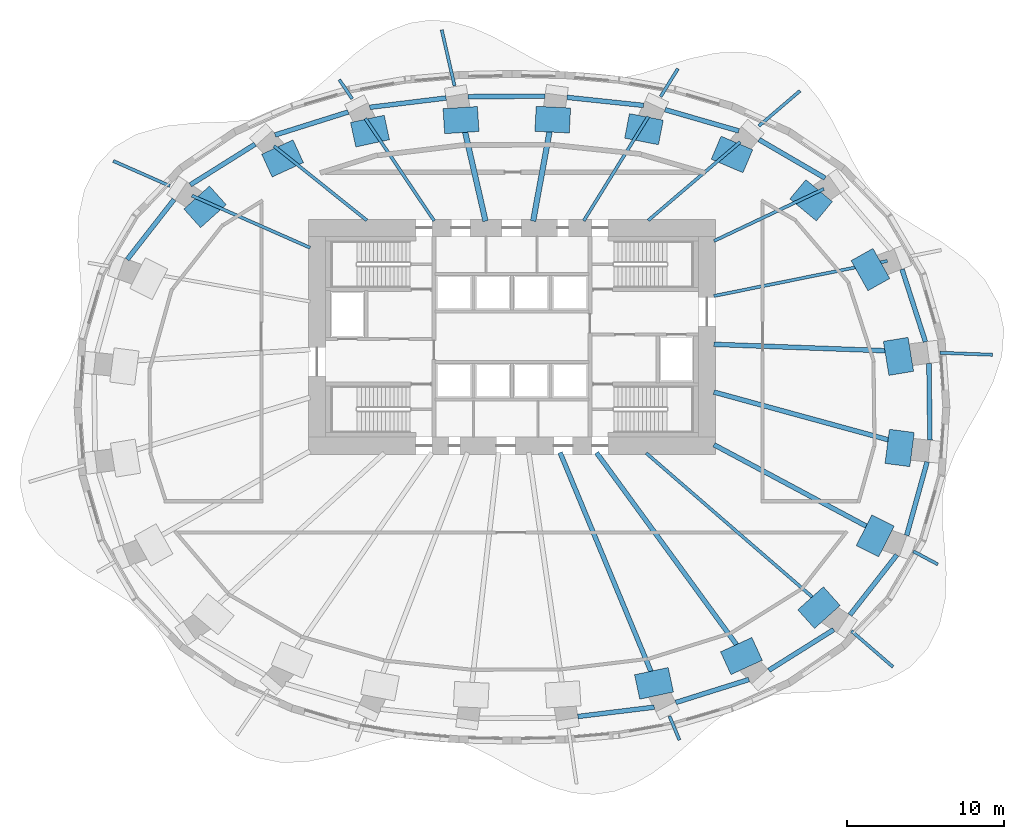
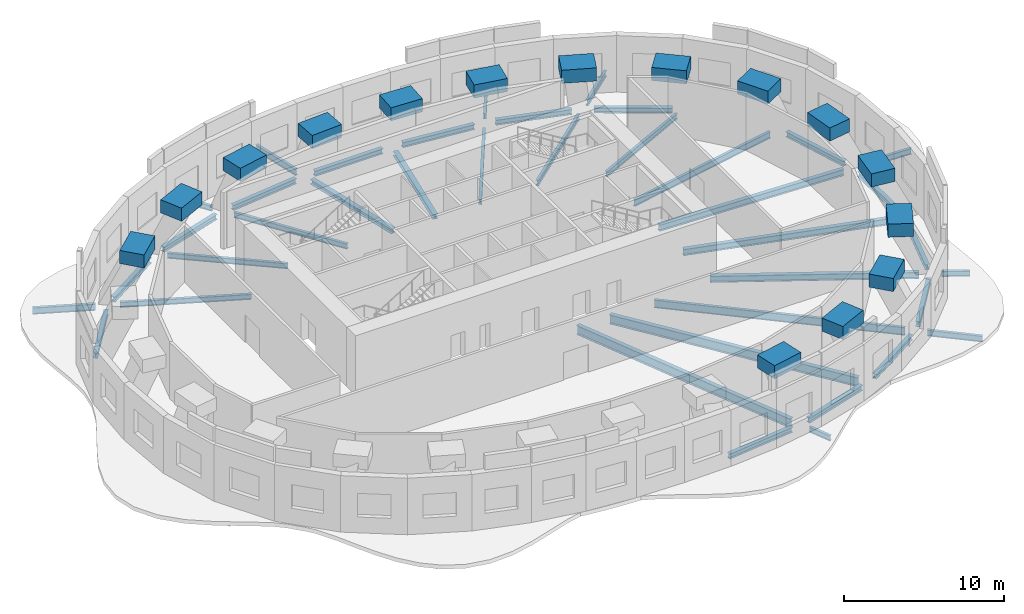
# One storey, part 2 of 9: 54 beams.
"""IFC4 building model written with IfcOpenShell, lengths in metres."""

import ifcopenshell
import ifcopenshell.guid

model = None  # the IFC model being written
_history = None  # IfcOwnerHistory: only IFC2X3 demands one
_inside = {}  # id of a spatial element -> (the spatial element, [elements in it])
_under = {}  # id of a project, library or spatial element -> (it, [spatial elements below it])
_declared = {}  # id of a project -> (the project, [libraries it declares])
_typed = {}  # id of a type object -> (the type object, [elements of that type])
_made_of = {}  # id of a material, layer set ... -> (it, [elements and type objects made of it])


def new_model(schema):
    """Start an empty IFC model of exactly this schema.

    Asked for "IFC4X3", IfcOpenShell would pick the latest addendum, in which some entities
    have other attributes; the version numbers below select the first issue.
    IFC2X3 requires an IfcOwnerHistory on every rooted entity: one is made here for all.
    """
    global model, _history
    if schema == "IFC4X3":
        model = ifcopenshell.file(schema_version=(4, 3, 0, 0))
    else:
        model = ifcopenshell.file(schema=schema)
    _inside.clear()
    _under.clear()
    _declared.clear()
    _typed.clear()
    _made_of.clear()
    _history = None
    if model.schema == "IFC2X3":
        org = make("IfcOrganization", Name="unknown")
        user = make(
            "IfcPersonAndOrganization",
            ThePerson=make("IfcPerson", FamilyName="unknown"),
            TheOrganization=org,
        )
        app = make(
            "IfcApplication",
            ApplicationDeveloper=org,
            Version="unknown",
            ApplicationFullName="unknown",
            ApplicationIdentifier="unknown",
        )
        _history = make(
            "IfcOwnerHistory",
            OwningUser=user,
            OwningApplication=app,
            ChangeAction="ADDED",
            CreationDate=0,
        )
    return model


def make(cls, **values):
    """One entity of the class cls with the attributes given. An attribute that is None is left unset."""
    return model.create_entity(
        cls, **{name: value for name, value in values.items() if value is not None}
    )


def rooted(cls, **values):
    """An entity with a GlobalId (a new one), such as an element, a storey or a relation."""
    return make(cls, GlobalId=ifcopenshell.guid.new(), OwnerHistory=_history, **values)


def si_unit(unit_type, name, prefix=None):
    """IfcSIUnit, for example si_unit("LENGTHUNIT", "METRE", prefix="MILLI")."""
    return make("IfcSIUnit", UnitType=unit_type, Prefix=prefix, Name=name)


def assignment(units):
    """IfcUnitAssignment: the units of a project."""
    return None if units is None else make("IfcUnitAssignment", Units=units)


def point(xyz):
    """IfcCartesianPoint."""
    return None if xyz is None else make("IfcCartesianPoint", Coordinates=xyz)


def direction(xyz):
    """IfcDirection."""
    return None if xyz is None else make("IfcDirection", DirectionRatios=xyz)


def frame(location, z_axis=None, x_axis=None):
    """IfcAxis2Placement3D, a coordinate frame: its origin and axes. An axis left out is left unset."""
    return make(
        "IfcAxis2Placement3D",
        Location=point(location),
        Axis=direction(z_axis),
        RefDirection=direction(x_axis),
    )


def frame_2d(location, x_axis=None):
    """IfcAxis2Placement2D, a coordinate frame in the plane: its origin and x axis."""
    return make(
        "IfcAxis2Placement2D", Location=point(location), RefDirection=direction(x_axis)
    )


def origin():
    """The frame at (0, 0, 0) with its axes left unset."""
    return frame((0.0, 0.0, 0.0))


def origin_2d():
    """The frame at (0, 0) in the plane with its x axis left unset."""
    return frame_2d((0.0, 0.0))


def place(relative_to, where):
    """IfcLocalPlacement: puts the frame where relative to a parent placement (None: the world)."""
    return make(
        "IfcLocalPlacement", PlacementRelTo=relative_to, RelativePlacement=where
    )


def context(
    kind, dimensions, precision=None, world=None, true_north=None, identifier=None
):
    """IfcGeometricRepresentationContext, for example the 3D "Model" context."""
    return make(
        "IfcGeometricRepresentationContext",
        ContextIdentifier=identifier,
        ContextType=kind,
        CoordinateSpaceDimension=dimensions,
        Precision=precision,
        WorldCoordinateSystem=world,
        TrueNorth=true_north,
    )


def subcontext(parent, identifier, kind, view, scale=None):
    """IfcGeometricRepresentationSubContext, for example "Body" below "Model"."""
    return make(
        "IfcGeometricRepresentationSubContext",
        ContextIdentifier=identifier,
        ContextType=kind,
        ParentContext=parent,
        TargetScale=scale,
        TargetView=view,
    )


def project(units=None, contexts=None):
    """IfcProject with its units and contexts."""
    return rooted(
        "IfcProject",
        Name="project",
        RepresentationContexts=contexts,
        UnitsInContext=assignment(units),
    )


def spatial(cls, under=None, at=None, **own):
    """A site, building, storey or space (cls), placed at a placement, below another one or the project."""
    s = rooted(cls, ObjectPlacement=at, **own)
    if under is not None:
        _under.setdefault(under.id(), (under, []))[1].append(s)
    return s


def profile(cls, at=None, kind="AREA", **sizes):
    """A parametric profile (cls). Its sizes go by their IFC names, for example OverallWidth=200.0."""
    return make(cls, ProfileType=kind, Position=at, **sizes)


def rectangle(**sizes):
    """IfcRectangleProfileDef."""
    return profile("IfcRectangleProfileDef", **sizes)


def i_section(**sizes):
    """IfcIShapeProfileDef."""
    return profile("IfcIShapeProfileDef", **sizes)


def extrude(swept, where, along, depth):
    """IfcExtrudedAreaSolid: the profile swept, set in the frame where, extruded along a direction by depth."""
    return make(
        "IfcExtrudedAreaSolid",
        SweptArea=swept,
        Position=where,
        ExtrudedDirection=direction(along),
        Depth=depth,
    )


def shape(context_of_items, identifier, shape_type, items):
    """IfcShapeRepresentation: the items that make up one representation, for example the "Body"."""
    return make(
        "IfcShapeRepresentation",
        ContextOfItems=context_of_items,
        RepresentationIdentifier=identifier,
        RepresentationType=shape_type,
        Items=items,
    )


def material(Name=None, Category=None):
    """IfcMaterial."""
    return make("IfcMaterial", Name=Name, Category=Category)


def material_profile(
    of_material, cross_section, Name=None, Category=None, Priority=None
):
    """IfcMaterialProfile: a cross section and its material."""
    return make(
        "IfcMaterialProfile",
        Name=Name,
        Material=of_material,
        Profile=cross_section,
        Priority=Priority,
        Category=Category,
    )


def profile_set(profiles, Name=None, composite=None):
    """IfcMaterialProfileSet."""
    return make(
        "IfcMaterialProfileSet",
        Name=Name,
        MaterialProfiles=profiles,
        CompositeProfile=composite,
    )


def made_of(thing, what):
    """Note that an element or type object is made of a material, layer set ...; save() writes the relation."""
    if what is not None:
        _made_of.setdefault(what.id(), (what, []))[1].append(thing)
    return thing


def type_object(cls, material=None, **own):
    """A type object (cls), such as IfcWallType, which elements share."""
    return made_of(rooted(cls, **own), material)


def element(
    cls,
    number,
    at=None,
    inside=None,
    cuts=None,
    type_object=None,
    material=None,
    context=None,
    identifier="Body",
    shape_type=None,
    held_by="IfcProductDefinitionShape",
    body=None,
    shapes=None,
    **own,
):
    """One element of the class cls, such as IfcWall. Its Tag is "e" and its number.

    at: its placement. inside: the storey or other place that contains it. cuts: it is an
    opening in that element (IfcRelVoidsElement). A single representation is given by context,
    identifier, shape_type and body (its items); several are given by shapes. held_by: the class
    of the entity that holds the representations. save() writes the other relations.
    """
    e = rooted(cls, Tag="e%d" % number, ObjectPlacement=at, **own)
    if body is not None:
        shapes = [shape(context, identifier, shape_type, body)]
    if shapes is not None:
        e.Representation = make(held_by, Representations=shapes)
    if inside is not None:
        _inside.setdefault(inside.id(), (inside, []))[1].append(e)
    if cuts is not None:
        rooted(
            "IfcRelVoidsElement", RelatingBuildingElement=cuts, RelatedOpeningElement=e
        )
    if type_object is not None:
        _typed.setdefault(type_object.id(), (type_object, []))[1].append(e)
    return made_of(e, material)


def aggregate(whole, parts):
    """IfcRelAggregates: a whole, such as a stair, and the parts it consists of."""
    return rooted("IfcRelAggregates", RelatingObject=whole, RelatedObjects=parts)


def save(model, path):
    """Write the relations noted so far, then the file.

    IfcRelAggregates (storeys below a building ...), IfcRelContainedInSpatialStructure (elements
    in a storey), IfcRelDefinesByType, IfcRelAssociatesMaterial and IfcRelDeclares: one each for
    every whole, place, type object, material and project.
    """
    for whole, parts in _under.values():
        aggregate(whole, parts)
    for where, things in _inside.values():
        rooted(
            "IfcRelContainedInSpatialStructure",
            RelatedElements=things,
            RelatingStructure=where,
        )
    for kind, things in _typed.values():
        rooted("IfcRelDefinesByType", RelatedObjects=things, RelatingType=kind)
    for what, things in _made_of.values():
        rooted("IfcRelAssociatesMaterial", RelatedObjects=things, RelatingMaterial=what)
    for by, libraries in _declared.values():
        rooted("IfcRelDeclares", RelatingContext=by, RelatedDefinitions=libraries)
    model.write(path)


model = new_model("IFC4")

# Units and contexts
model_context = context("Model", 3, precision=1e-05, world=origin(), true_north=direction((0.0, 1.0)))
body_context = subcontext(model_context, "Body", "Model", "MODEL_VIEW")
ifc_project = project(units=[si_unit("LENGTHUNIT", "METRE"), si_unit("AREAUNIT", "SQUARE_METRE"), si_unit("VOLUMEUNIT", "CUBIC_METRE"), si_unit("PLANEANGLEUNIT", "RADIAN"), si_unit("MASSUNIT", "GRAM", prefix="KILO")], contexts=[model_context])

# Site, building, storey
site_placement = place(None, origin())
site = spatial("IfcSite", under=ifc_project, at=site_placement, CompositionType="ELEMENT")
building_placement = place(site_placement, origin())
building = spatial("IfcBuilding", under=site, at=building_placement, Name="Rubra Terraces Tower", CompositionType="ELEMENT")
storey_placement = place(building_placement, frame((0.0, 0.0, 77.10009765625)))
storey = spatial("IfcBuildingStorey", under=building, at=storey_placement, Name="L17", CompositionType="ELEMENT", Elevation=77.10009765625)

# Beams
ifc_material_1 = material(Name="Steel Q355B", Category="steel")
ifc_material_profile_1 = material_profile(ifc_material_1, i_section(OverallWidth=0.199951171875, OverallDepth=0.39990234375, WebThickness=0.008056640625, FlangeThickness=0.012939453125, at=origin_2d()), Name="HN 400x200x8x13")
ifc_profile_set_1 = profile_set([ifc_material_profile_1], Name="Steel Q355B")
beam_type_1 = type_object("IfcBeamType", Name="CANTILEVER BEAM HN 400x200x8x13", PredefinedType="BEAM", material=ifc_profile_set_1)
beam_1_placement = place(storey_placement, frame((9.488037109375, 19.827880859375, -0.5), z_axis=(0.526190071233, 0.850366984857, 0.0), x_axis=(-0.850366984857, 0.526190071233, 0.0)))
element("IfcBeam", 1, at=beam_1_placement, inside=storey, type_object=beam_type_1, Name="beam-L17-cant-05", PredefinedType="BEAM", context=body_context, shape_type="SweptSolid", body=[
    extrude(i_section(OverallWidth=0.199951171875, OverallDepth=0.39990234375, WebThickness=0.008056640625, FlangeThickness=0.012939453125, at=origin_2d()), origin(), (0.0, 0.0, 1.0), 2.094482421875),
])
beam_2_placement = place(storey_placement, frame((-10.199951171875, 19.68310546875, -0.5), z_axis=(-0.55771272849, 0.830034042965, 0.0), x_axis=(-0.830034042965, -0.55771272849, 0.0)))
element("IfcBeam", 2, at=beam_2_placement, inside=storey, type_object=beam_type_1, Name="beam-L17-cant-08", PredefinedType="BEAM", context=body_context, shape_type="SweptSolid", body=[
    extrude(i_section(OverallWidth=0.199951171875, OverallDepth=0.39990234375, WebThickness=0.008056640625, FlangeThickness=0.012939453125, at=origin_2d()), origin(), (0.0, 0.0, 1.0), 1.4755859375),
])
beam_3_placement = place(storey_placement, frame((10.052978515625, -19.715087890625, -0.5), z_axis=(0.383503635295, -0.92353936663, 0.0), x_axis=(0.92353936663, 0.383503635295, 0.0)))
element("IfcBeam", 3, at=beam_3_placement, inside=storey, type_object=beam_type_1, Name="beam-L17-cant-20", PredefinedType="BEAM", context=body_context, shape_type="SweptSolid", body=[
    extrude(i_section(OverallWidth=0.199951171875, OverallDepth=0.39990234375, WebThickness=0.008056640625, FlangeThickness=0.012939453125, at=origin_2d()), origin(), (0.0, 0.0, 1.0), 1.6533203125),
])
beam_4_placement = place(storey_placement, frame((25.62109375, -9.196044921875, -0.5), z_axis=(0.881831478538, -0.471564675797, 0.0), x_axis=(0.471564675797, 0.881831478538, 0.0)))
element("IfcBeam", 4, at=beam_4_placement, inside=storey, type_object=beam_type_1, Name="beam-L17-cant-23", PredefinedType="BEAM", context=body_context, shape_type="SweptSolid", body=[
    extrude(i_section(OverallWidth=0.199951171875, OverallDepth=0.39990234375, WebThickness=0.008056640625, FlangeThickness=0.012939453125, at=origin_2d()), origin(), (0.0, 0.0, 1.0), 1.764404296875),
])
ifc_material_profile_2 = material_profile(ifc_material_1, i_section(OverallWidth=0.198974609375, OverallDepth=0.446044921875, WebThickness=0.008056640625, FlangeThickness=0.011962890625, at=origin_2d()), Name="HN 446x199x8x12")
ifc_profile_set_2 = profile_set([ifc_material_profile_2], Name="Steel Q355B")
beam_type_2 = type_object("IfcBeamType", Name="CANTILEVER BEAM HN 446x199x8x12", PredefinedType="BEAM", material=ifc_profile_set_2)
beam_5_placement = place(storey_placement, frame((27.319091796875, 3.47607421875, -0.523193359375), z_axis=(0.999296185765, -0.037511773014, 0.0), x_axis=(0.037511773014, 0.999296185765, 0.0)))
element("IfcBeam", 5, at=beam_5_placement, inside=storey, type_object=beam_type_2, Name="beam-L17-cant-01", PredefinedType="BEAM", context=body_context, shape_type="SweptSolid", body=[
    extrude(i_section(OverallWidth=0.198974609375, OverallDepth=0.446044921875, WebThickness=0.008056640625, FlangeThickness=0.011962890625, at=origin_2d()), origin(), (0.0, 0.0, 1.0), 3.3583984375),
])
beam_6_placement = place(storey_placement, frame((15.7509765625, 17.947998046875, -0.523193359375), z_axis=(0.76041784496, 0.649434139129, 0.0), x_axis=(-0.649434139129, 0.76041784496, 0.0)))
element("IfcBeam", 6, at=beam_6_placement, inside=storey, type_object=beam_type_2, Name="beam-L17-cant-04", PredefinedType="BEAM", context=body_context, shape_type="SweptSolid", body=[
    extrude(i_section(OverallWidth=0.198974609375, OverallDepth=0.446044921875, WebThickness=0.008056640625, FlangeThickness=0.011962890625, at=origin_2d()), origin(), (0.0, 0.0, 1.0), 3.468994140625),
])
beam_7_placement = place(storey_placement, frame((21.66796875, -14.279052734375, -0.523193359375), z_axis=(0.755677597863, -0.654943790022, 0.0), x_axis=(0.654943790022, 0.755677597863, 0.0)))
element("IfcBeam", 7, at=beam_7_placement, inside=storey, type_object=beam_type_2, Name="beam-L17-cant-22", PredefinedType="BEAM", context=body_context, shape_type="SweptSolid", body=[
    extrude(i_section(OverallWidth=0.198974609375, OverallDepth=0.446044921875, WebThickness=0.008056640625, FlangeThickness=0.011962890625, at=origin_2d()), origin(), (0.0, 0.0, 1.0), 3.507080078125),
])
ifc_material_profile_3 = material_profile(ifc_material_1, i_section(OverallWidth=0.198974609375, OverallDepth=0.49609375, WebThickness=0.009033203125, FlangeThickness=0.013916015625, at=origin_2d()), Name="HN 496x199x9x14")
ifc_profile_set_3 = profile_set([ifc_material_profile_3], Name="Steel Q355B")
beam_type_3 = type_object("IfcBeamType", Name="CANTILEVER BEAM HN 496x199x9x14", PredefinedType="BEAM", material=ifc_profile_set_3)
beam_8_placement = place(storey_placement, frame((-3.6669921875, 20.514892578125, -0.548095703125), z_axis=(-0.22319553445, 0.974773693429, 0.0), x_axis=(-0.974773693429, -0.22319553445, 0.0)))
element("IfcBeam", 8, at=beam_8_placement, inside=storey, type_object=beam_type_3, Name="beam-L17-cant-07", PredefinedType="BEAM", context=body_context, shape_type="SweptSolid", body=[
    extrude(i_section(OverallWidth=0.198974609375, OverallDepth=0.49609375, WebThickness=0.009033203125, FlangeThickness=0.013916015625, at=origin_2d()), origin(), (0.0, 0.0, 1.0), 3.66552734375),
])
beam_9_placement = place(storey_placement, frame((-21.8369140625, 14.1259765625, -0.548095703125), z_axis=(-0.914957406793, 0.403550422816, 0.0), x_axis=(-0.403550422816, -0.914957406793, 0.0)))
element("IfcBeam", 9, at=beam_9_placement, inside=storey, type_object=beam_type_3, Name="beam-L17-cant-10", PredefinedType="BEAM", context=body_context, shape_type="SweptSolid", body=[
    extrude(i_section(OverallWidth=0.198974609375, OverallDepth=0.49609375, WebThickness=0.009033203125, FlangeThickness=0.013916015625, at=origin_2d()), origin(), (0.0, 0.0, 1.0), 3.949951171875),
])
ifc_material_profile_4 = material_profile(ifc_material_1, i_section(OverallWidth=0.300048828125, OverallDepth=0.48193359375, WebThickness=0.010986328125, FlangeThickness=0.014892578125, at=origin_2d()), Name="HM 482x300x11x15")
ifc_profile_set_4 = profile_set([ifc_material_profile_4], Name="Steel Q355B")
beam_type_4 = type_object("IfcBeamType", Name="FLOOR BEAM HM 482x300x11x15", PredefinedType="BEAM", material=ifc_profile_set_4)
beam_10_placement = place(storey_placement, frame((25.89111328125, 3.530029296875, -0.541015625), z_axis=(-0.999300088658, 0.037407657088, 0.0), x_axis=(-0.037407657088, -0.999300088658, 0.0)))
element("IfcBeam", 10, at=beam_10_placement, inside=storey, type_object=beam_type_4, Name="beam-L17-floor-01", PredefinedType="BEAM", context=body_context, shape_type="SweptSolid", body=[
    extrude(i_section(OverallWidth=0.300048828125, OverallDepth=0.48193359375, WebThickness=0.010986328125, FlangeThickness=0.014892578125, at=origin_2d()), origin(), (0.0, 0.0, 1.0), 13.020263671875),
])
beam_11_placement = place(storey_placement, frame((24.385009765625, -8.535888671875, -0.541015625), z_axis=(-0.881896613876, 0.471442851716, 0.0), x_axis=(-0.471442851716, -0.881896613876, 0.0)))
element("IfcBeam", 11, at=beam_11_placement, inside=storey, type_object=beam_type_4, Name="beam-L17-floor-23", PredefinedType="BEAM", context=body_context, shape_type="SweptSolid", body=[
    extrude(i_section(OverallWidth=0.300048828125, OverallDepth=0.48193359375, WebThickness=0.010986328125, FlangeThickness=0.014892578125, at=origin_2d()), origin(), (0.0, 0.0, 1.0), 13.02978515625),
])
beam_12_placement = place(storey_placement, frame((26.001953125, -2.62109375, -0.541015625), z_axis=(-0.964494059772, 0.264104541167, 0.0), x_axis=(-0.264104541167, -0.964494059772, 0.0)))
element("IfcBeam", 12, at=beam_12_placement, inside=storey, type_object=beam_type_4, Name="beam-L17-floor-24", PredefinedType="BEAM", context=body_context, shape_type="SweptSolid", body=[
    extrude(i_section(OverallWidth=0.300048828125, OverallDepth=0.48193359375, WebThickness=0.010986328125, FlangeThickness=0.014892578125, at=origin_2d()), origin(), (0.0, 0.0, 1.0), 13.600830078125),
])
ifc_material_profile_5 = material_profile(ifc_material_1, i_section(OverallWidth=0.199951171875, OverallDepth=0.39990234375, WebThickness=0.008056640625, FlangeThickness=0.012939453125, at=origin_2d()), Name="HN 400x200x8x13")
ifc_profile_set_5 = profile_set([ifc_material_profile_5], Name="Steel Q355B")
beam_type_5 = type_object("IfcBeamType", Name="FLOOR BEAM HN 400x200x8x13", PredefinedType="BEAM", material=ifc_profile_set_5)
beam_13_placement = place(storey_placement, frame((19.904052734375, 13.93603515625, -0.5), z_axis=(-0.903612237836, -0.428351402045, 0.0), x_axis=(0.428351402045, -0.903612237836, 0.0)))
element("IfcBeam", 13, at=beam_13_placement, inside=storey, type_object=beam_type_5, Name="beam-L17-floor-03", PredefinedType="BEAM", context=body_context, shape_type="SweptSolid", body=[
    extrude(i_section(OverallWidth=0.199951171875, OverallDepth=0.39990234375, WebThickness=0.008056640625, FlangeThickness=0.012939453125, at=origin_2d()), origin(), (0.0, 0.0, 1.0), 7.760009765625),
])
beam_14_placement = place(storey_placement, frame((14.56298828125, 16.93408203125, -0.5), z_axis=(-0.760494401061, -0.649344489431, 0.0), x_axis=(0.649344489431, -0.760494401061, 0.0)))
element("IfcBeam", 14, at=beam_14_placement, inside=storey, type_object=beam_type_5, Name="beam-L17-floor-04", PredefinedType="BEAM", context=body_context, shape_type="SweptSolid", body=[
    extrude(i_section(OverallWidth=0.199951171875, OverallDepth=0.39990234375, WebThickness=0.008056640625, FlangeThickness=0.012939453125, at=origin_2d()), origin(), (0.0, 0.0, 1.0), 7.718505859375),
])
beam_15_placement = place(storey_placement, frame((8.699951171875, 18.555908203125, -0.5), z_axis=(-0.526285914839, -0.850307671283, 0.0), x_axis=(0.850307671283, -0.526285914839, 0.0)))
element("IfcBeam", 15, at=beam_15_placement, inside=storey, type_object=beam_type_5, Name="beam-L17-floor-05", PredefinedType="BEAM", context=body_context, shape_type="SweptSolid", body=[
    extrude(i_section(OverallWidth=0.199951171875, OverallDepth=0.39990234375, WebThickness=0.008056640625, FlangeThickness=0.012939453125, at=origin_2d()), origin(), (0.0, 0.0, 1.0), 7.830078125),
])
beam_16_placement = place(storey_placement, frame((-9.360107421875, 18.43310546875, -0.5), z_axis=(0.557574689395, -0.830126776912, 0.0), x_axis=(0.830126776912, 0.557574689395, 0.0)))
element("IfcBeam", 16, at=beam_16_placement, inside=storey, type_object=beam_type_5, Name="beam-L17-floor-08", PredefinedType="BEAM", context=body_context, shape_type="SweptSolid", body=[
    extrude(i_section(OverallWidth=0.199951171875, OverallDepth=0.39990234375, WebThickness=0.008056640625, FlangeThickness=0.012939453125, at=origin_2d()), origin(), (0.0, 0.0, 1.0), 7.8701171875),
])
beam_17_placement = place(storey_placement, frame((-15.18896484375, 16.676025390625, -0.5), z_axis=(0.780266406942, -0.625447307291, 0.0), x_axis=(0.625447307291, 0.780266406942, 0.0)))
element("IfcBeam", 17, at=beam_17_placement, inside=storey, type_object=beam_type_5, Name="beam-L17-floor-09", PredefinedType="BEAM", context=body_context, shape_type="SweptSolid", body=[
    extrude(i_section(OverallWidth=0.199951171875, OverallDepth=0.39990234375, WebThickness=0.008056640625, FlangeThickness=0.012939453125, at=origin_2d()), origin(), (0.0, 0.0, 1.0), 7.59619140625),
])
beam_18_placement = place(storey_placement, frame((-20.43310546875, 13.508056640625, -0.5), z_axis=(0.914994662209, -0.4034659442, 0.0), x_axis=(0.4034659442, 0.914994662209, 0.0)))
element("IfcBeam", 18, at=beam_18_placement, inside=storey, type_object=beam_type_5, Name="beam-L17-floor-10", PredefinedType="BEAM", context=body_context, shape_type="SweptSolid", body=[
    extrude(i_section(OverallWidth=0.199951171875, OverallDepth=0.39990234375, WebThickness=0.008056640625, FlangeThickness=0.012939453125, at=origin_2d()), origin(), (0.0, 0.0, 1.0), 8.243896484375),
])
ifc_material_profile_6 = material_profile(ifc_material_1, i_section(OverallWidth=0.198974609375, OverallDepth=0.49609375, WebThickness=0.009033203125, FlangeThickness=0.013916015625, at=origin_2d()), Name="HN 496x199x9x14")
ifc_profile_set_6 = profile_set([ifc_material_profile_6], Name="Steel Q355B")
beam_type_6 = type_object("IfcBeamType", Name="FLOOR BEAM HN 496x199x9x14", PredefinedType="BEAM", material=ifc_profile_set_6)
beam_19_placement = place(storey_placement, frame((23.9560546875, 9.337890625, -0.548095703125), z_axis=(-0.980204035637, -0.197990021264, 0.0), x_axis=(0.197990021264, -0.980204035637, 0.0)))
element("IfcBeam", 19, at=beam_19_placement, inside=storey, type_object=beam_type_6, Name="beam-L17-floor-02", PredefinedType="BEAM", context=body_context, shape_type="SweptSolid", body=[
    extrude(i_section(OverallWidth=0.198974609375, OverallDepth=0.49609375, WebThickness=0.009033203125, FlangeThickness=0.013916015625, at=origin_2d()), origin(), (0.0, 0.0, 1.0), 11.297607421875),
])
ifc_material_profile_7 = material_profile(ifc_material_1, i_section(OverallWidth=0.198974609375, OverallDepth=0.595947265625, WebThickness=0.010009765625, FlangeThickness=0.014892578125, at=origin_2d()), Name="HN 596x199x10x15")
ifc_profile_set_7 = profile_set([ifc_material_profile_7], Name="Steel Q355B")
beam_type_7 = type_object("IfcBeamType", Name="FLOOR BEAM HN 596x199x10x15", PredefinedType="BEAM", material=ifc_profile_set_7)
beam_20_placement = place(storey_placement, frame((20.60205078125, -13.35498046875, -0.59814453125), z_axis=(-0.755682003913, 0.654938706263, 0.0), x_axis=(-0.654938706263, -0.755682003913, 0.0)))
element("IfcBeam", 20, at=beam_20_placement, inside=storey, type_object=beam_type_7, Name="beam-L17-floor-22", PredefinedType="BEAM", context=body_context, shape_type="SweptSolid", body=[
    extrude(i_section(OverallWidth=0.198974609375, OverallDepth=0.595947265625, WebThickness=0.010009765625, FlangeThickness=0.014892578125, at=origin_2d()), origin(), (0.0, 0.0, 1.0), 15.931396484375),
])
ifc_material_profile_8 = material_profile(ifc_material_1, i_section(OverallWidth=0.300048828125, OverallDepth=0.699951171875, WebThickness=0.012939453125, FlangeThickness=0.02392578125, at=origin_2d()), Name="HN 700x300x13x24")
ifc_profile_set_8 = profile_set([ifc_material_profile_8], Name="Steel Q355B")
beam_type_8 = type_object("IfcBeamType", Name="FLOOR BEAM HN 700x300x13x24", PredefinedType="BEAM", material=ifc_profile_set_8)
beam_21_placement = place(storey_placement, frame((9.507080078125, -18.40087890625, -0.650146484375), z_axis=(-0.383379543301, 0.923590886582, 0.0), x_axis=(-0.923590886582, -0.383379543301, 0.0)))
element("IfcBeam", 21, at=beam_21_placement, inside=storey, type_object=beam_type_8, Name="beam-L17-floor-20", PredefinedType="BEAM", context=body_context, shape_type="SweptSolid", body=[
    extrude(i_section(OverallWidth=0.300048828125, OverallDepth=0.699951171875, WebThickness=0.012939453125, FlangeThickness=0.02392578125, at=origin_2d()), origin(), (0.0, 0.0, 1.0), 16.795166015625),
])
beam_22_placement = place(storey_placement, frame((15.3779296875, -16.587890625, -0.650146484375), z_axis=(-0.58919117553, 0.807993662523, 0.0), x_axis=(-0.807993662523, -0.58919117553, 0.0)))
element("IfcBeam", 22, at=beam_22_placement, inside=storey, type_object=beam_type_8, Name="beam-L17-floor-21", PredefinedType="BEAM", context=body_context, shape_type="SweptSolid", body=[
    extrude(i_section(OverallWidth=0.300048828125, OverallDepth=0.699951171875, WebThickness=0.012939453125, FlangeThickness=0.02392578125, at=origin_2d()), origin(), (0.0, 0.0, 1.0), 16.936767578125),
])
ifc_material_profile_9 = material_profile(ifc_material_1, i_section(OverallWidth=0.35009765625, OverallDepth=0.35009765625, WebThickness=0.011962890625, FlangeThickness=0.01904296875, at=origin_2d()), Name="HW 350x350x12x19")
ifc_profile_set_9 = profile_set([ifc_material_profile_9], Name="Steel Q355B")
beam_type_9 = type_object("IfcBeamType", Name="FLOOR BEAM HW 350x350x12x19", PredefinedType="BEAM", material=ifc_profile_set_9)
beam_23_placement = place(storey_placement, frame((2.68408203125, 19.158935546875, -0.47509765625), z_axis=(-0.180186319425, -0.983632497578, 0.0), x_axis=(0.983632497578, -0.180186319425, 0.0)))
element("IfcBeam", 23, at=beam_23_placement, inside=storey, type_object=beam_type_9, Name="beam-L17-floor-06", PredefinedType="BEAM", context=body_context, shape_type="SweptSolid", body=[
    extrude(i_section(OverallWidth=0.35009765625, OverallDepth=0.35009765625, WebThickness=0.011962890625, FlangeThickness=0.01904296875, at=origin_2d()), origin(), (0.0, 0.0, 1.0), 7.39794921875),
])
beam_24_placement = place(storey_placement, frame((-3.35107421875, 19.133056640625, -0.47509765625), z_axis=(0.223209821828, -0.974770421914, 0.0), x_axis=(0.974770421914, 0.223209821828, 0.0)))
element("IfcBeam", 24, at=beam_24_placement, inside=storey, type_object=beam_type_9, Name="beam-L17-floor-07", PredefinedType="BEAM", context=body_context, shape_type="SweptSolid", body=[
    extrude(i_section(OverallWidth=0.35009765625, OverallDepth=0.35009765625, WebThickness=0.011962890625, FlangeThickness=0.01904296875, at=origin_2d()), origin(), (0.0, 0.0, 1.0), 7.437744140625),
])
ifc_material_profile_10 = material_profile(ifc_material_1, i_section(OverallWidth=0.300048828125, OverallDepth=0.389892578125, WebThickness=0.010009765625, FlangeThickness=0.01611328125, at=origin_2d()), Name="HM 390x300x10x16")
ifc_profile_set_10 = profile_set([ifc_material_profile_10], Name="Steel Q355B")
beam_type_10 = type_object("IfcBeamType", Name="SPANDREL BEAM HM 390x300x10x16", PredefinedType="SPANDREL", material=ifc_profile_set_10)
beam_25_placement = place(storey_placement, frame((26.387939453125, 4.177001953125, -0.4951171875), z_axis=(-0.30706880261, 0.951687317591, 0.0), x_axis=(-0.951687317591, -0.30706880261, 0.0)))
element("IfcBeam", 25, at=beam_25_placement, inside=storey, type_object=beam_type_10, Name="beam-L17-spandrel-01", PredefinedType="SPANDREL", context=body_context, shape_type="SweptSolid", body=[
    extrude(i_section(OverallWidth=0.300048828125, OverallDepth=0.389892578125, WebThickness=0.010009765625, FlangeThickness=0.01611328125, at=origin_2d()), origin(), (0.0, 0.0, 1.0), 4.86181640625),
])
beam_26_placement = place(storey_placement, frame((19.987060546875, 14.6240234375, -0.4951171875), z_axis=(-0.863806081452, 0.503824427402, 0.0), x_axis=(-0.503824427402, -0.863806081452, 0.0)))
element("IfcBeam", 26, at=beam_26_placement, inside=storey, type_object=beam_type_10, Name="beam-L17-spandrel-03", PredefinedType="SPANDREL", context=body_context, shape_type="SweptSolid", body=[
    extrude(i_section(OverallWidth=0.300048828125, OverallDepth=0.389892578125, WebThickness=0.010009765625, FlangeThickness=0.01611328125, at=origin_2d()), origin(), (0.0, 0.0, 1.0), 4.886474609375),
])
beam_27_placement = place(storey_placement, frame((14.47900390625, 17.636962890625, -0.4951171875), z_axis=(-0.960743980202, 0.277436487337, 0.0), x_axis=(-0.277436487337, -0.960743980202, 0.0)))
element("IfcBeam", 27, at=beam_27_placement, inside=storey, type_object=beam_type_10, Name="beam-L17-spandrel-04", PredefinedType="SPANDREL", context=body_context, shape_type="SweptSolid", body=[
    extrude(i_section(OverallWidth=0.300048828125, OverallDepth=0.389892578125, WebThickness=0.010009765625, FlangeThickness=0.01611328125, at=origin_2d()), origin(), (0.0, 0.0, 1.0), 4.90234375),
])
beam_28_placement = place(storey_placement, frame((8.39501953125, 19.26611328125, -0.4951171875), z_axis=(-0.994495375694, 0.104780473964, 0.0), x_axis=(-0.104780473964, -0.994495375694, 0.0)))
element("IfcBeam", 28, at=beam_28_placement, inside=storey, type_object=beam_type_10, Name="beam-L17-spandrel-05", PredefinedType="SPANDREL", context=body_context, shape_type="SweptSolid", body=[
    extrude(i_section(OverallWidth=0.300048828125, OverallDepth=0.389892578125, WebThickness=0.010009765625, FlangeThickness=0.01611328125, at=origin_2d()), origin(), (0.0, 0.0, 1.0), 4.9140625),
])
beam_29_placement = place(storey_placement, frame((2.110107421875, 19.85107421875, -0.4951171875), z_axis=(-0.999987924698, -0.004914311469, 0.0), x_axis=(0.004914311469, -0.999987924698, 0.0)))
element("IfcBeam", 29, at=beam_29_placement, inside=storey, type_object=beam_type_10, Name="beam-L17-spandrel-06", PredefinedType="SPANDREL", context=body_context, shape_type="SweptSolid", body=[
    extrude(i_section(OverallWidth=0.300048828125, OverallDepth=0.389892578125, WebThickness=0.010009765625, FlangeThickness=0.01611328125, at=origin_2d()), origin(), (0.0, 0.0, 1.0), 4.918212890625),
])
beam_30_placement = place(storey_placement, frame((-4.205078125, 19.739013671875, -0.4951171875), z_axis=(-0.992616576014, -0.12129440639, 0.0), x_axis=(0.12129440639, -0.992616576014, 0.0)))
element("IfcBeam", 30, at=beam_30_placement, inside=storey, type_object=beam_type_10, Name="beam-L17-spandrel-07", PredefinedType="SPANDREL", context=body_context, shape_type="SweptSolid", body=[
    extrude(i_section(OverallWidth=0.300048828125, OverallDepth=0.389892578125, WebThickness=0.010009765625, FlangeThickness=0.01611328125, at=origin_2d()), origin(), (0.0, 0.0, 1.0), 4.913330078125),
])
beam_31_placement = place(storey_placement, frame((-10.450927734375, 18.846923828125, -0.4951171875), z_axis=(-0.953954624663, -0.299950952796, 0.0), x_axis=(0.299950952796, -0.953954624663, 0.0)))
element("IfcBeam", 31, at=beam_31_placement, inside=storey, type_object=beam_type_10, Name="beam-L17-spandrel-08", PredefinedType="SPANDREL", context=body_context, shape_type="SweptSolid", body=[
    extrude(i_section(OverallWidth=0.300048828125, OverallDepth=0.389892578125, WebThickness=0.010009765625, FlangeThickness=0.01611328125, at=origin_2d()), origin(), (0.0, 0.0, 1.0), 4.900634765625),
])
beam_32_placement = place(storey_placement, frame((-16.39697265625, 16.7900390625, -0.4951171875), z_axis=(-0.847078460197, -0.531467856291, 0.0), x_axis=(0.531467856291, -0.847078460197, 0.0)))
element("IfcBeam", 32, at=beam_32_placement, inside=storey, type_object=beam_type_10, Name="beam-L17-spandrel-09", PredefinedType="SPANDREL", context=body_context, shape_type="SweptSolid", body=[
    extrude(i_section(OverallWidth=0.300048828125, OverallDepth=0.389892578125, WebThickness=0.010009765625, FlangeThickness=0.01611328125, at=origin_2d()), origin(), (0.0, 0.0, 1.0), 4.882568359375),
])
beam_33_placement = place(storey_placement, frame((-21.572998046875, 13.257080078125, -0.4951171875), z_axis=(-0.615577734286, -0.788076172112, 0.0), x_axis=(0.788076172112, -0.615577734286, 0.0)))
element("IfcBeam", 33, at=beam_33_placement, inside=storey, type_object=beam_type_10, Name="beam-L17-spandrel-10", PredefinedType="SPANDREL", context=body_context, shape_type="SweptSolid", body=[
    extrude(i_section(OverallWidth=0.300048828125, OverallDepth=0.389892578125, WebThickness=0.010009765625, FlangeThickness=0.01611328125, at=origin_2d()), origin(), (0.0, 0.0, 1.0), 4.85888671875),
])
beam_34_placement = place(storey_placement, frame((4.205078125, -19.739013671875, -0.4951171875), z_axis=(0.992616576014, 0.12129440639, 0.0), x_axis=(-0.12129440639, 0.992616576014, 0.0)))
element("IfcBeam", 34, at=beam_34_placement, inside=storey, type_object=beam_type_10, Name="beam-L17-spandrel-19", PredefinedType="SPANDREL", context=body_context, shape_type="SweptSolid", body=[
    extrude(i_section(OverallWidth=0.300048828125, OverallDepth=0.389892578125, WebThickness=0.010009765625, FlangeThickness=0.01611328125, at=origin_2d()), origin(), (0.0, 0.0, 1.0), 4.913330078125),
])
beam_35_placement = place(storey_placement, frame((10.450927734375, -18.846923828125, -0.4951171875), z_axis=(0.953954624663, 0.299950952796, 0.0), x_axis=(-0.299950952796, 0.953954624663, 0.0)))
element("IfcBeam", 35, at=beam_35_placement, inside=storey, type_object=beam_type_10, Name="beam-L17-spandrel-20", PredefinedType="SPANDREL", context=body_context, shape_type="SweptSolid", body=[
    extrude(i_section(OverallWidth=0.300048828125, OverallDepth=0.389892578125, WebThickness=0.010009765625, FlangeThickness=0.01611328125, at=origin_2d()), origin(), (0.0, 0.0, 1.0), 4.900634765625),
])
beam_36_placement = place(storey_placement, frame((16.39697265625, -16.7900390625, -0.4951171875), z_axis=(0.847078460197, 0.531467856291, 0.0), x_axis=(-0.531467856291, 0.847078460197, 0.0)))
element("IfcBeam", 36, at=beam_36_placement, inside=storey, type_object=beam_type_10, Name="beam-L17-spandrel-21", PredefinedType="SPANDREL", context=body_context, shape_type="SweptSolid", body=[
    extrude(i_section(OverallWidth=0.300048828125, OverallDepth=0.389892578125, WebThickness=0.010009765625, FlangeThickness=0.01611328125, at=origin_2d()), origin(), (0.0, 0.0, 1.0), 4.882568359375),
])
beam_37_placement = place(storey_placement, frame((21.572998046875, -13.257080078125, -0.4951171875), z_axis=(0.615577734286, 0.788076172112, 0.0), x_axis=(-0.788076172112, 0.615577734286, 0.0)))
element("IfcBeam", 37, at=beam_37_placement, inside=storey, type_object=beam_type_10, Name="beam-L17-spandrel-22", PredefinedType="SPANDREL", context=body_context, shape_type="SweptSolid", body=[
    extrude(i_section(OverallWidth=0.300048828125, OverallDepth=0.389892578125, WebThickness=0.010009765625, FlangeThickness=0.01611328125, at=origin_2d()), origin(), (0.0, 0.0, 1.0), 4.85888671875),
])
beam_38_placement = place(storey_placement, frame((25.194091796875, -8.177978515625, -0.4951171875), z_axis=(0.267364386726, 0.96359549849, 0.0), x_axis=(-0.96359549849, 0.267364386726, 0.0)))
element("IfcBeam", 38, at=beam_38_placement, inside=storey, type_object=beam_type_10, Name="beam-L17-spandrel-23", PredefinedType="SPANDREL", context=body_context, shape_type="SweptSolid", body=[
    extrude(i_section(OverallWidth=0.300048828125, OverallDepth=0.389892578125, WebThickness=0.010009765625, FlangeThickness=0.01611328125, at=origin_2d()), origin(), (0.0, 0.0, 1.0), 4.8662109375),
])
beam_39_placement = place(storey_placement, frame((26.675048828125, -2.10107421875, -0.4951171875), z_axis=(-0.012465372298, 0.999922304228, 0.0), x_axis=(-0.999922304228, -0.012465372298, 0.0)))
element("IfcBeam", 39, at=beam_39_placement, inside=storey, type_object=beam_type_10, Name="beam-L17-spandrel-24", PredefinedType="SPANDREL", context=body_context, shape_type="SweptSolid", body=[
    extrude(i_section(OverallWidth=0.300048828125, OverallDepth=0.389892578125, WebThickness=0.010009765625, FlangeThickness=0.01611328125, at=origin_2d()), origin(), (0.0, 0.0, 1.0), 4.896484375),
])
ifc_material_2 = material(Name="Concrete C60", Category="concrete")
ifc_material_profile_11 = material_profile(ifc_material_2, rectangle(XDim=1.60009765625, YDim=1.0, at=origin_2d()), Name="RC 1600x1000")
ifc_profile_set_11 = profile_set([ifc_material_profile_11], Name="Concrete C60")
beam_type_11 = type_object("IfcBeamType", Name="TRANSFER NODE RC 1600x1000 C60", PredefinedType="BEAM", material=ifc_profile_set_11)
beam_40_placement = place(storey_placement, frame((24.846923828125, 2.162109375, 3.7998046875), z_axis=(-0.161736066413, 0.986834051308, 0.0), x_axis=(-0.986834051308, -0.161736066413, 0.0)))
element("IfcBeam", 40, at=beam_40_placement, inside=storey, type_object=beam_type_11, Name="node-L17-hi-01", PredefinedType="BEAM", context=body_context, shape_type="SweptSolid", body=[
    extrude(rectangle(XDim=1.60009765625, YDim=1.0, at=origin_2d()), origin(), (0.0, 0.0, 1.0), 2.200927734375),
])
beam_41_placement = place(storey_placement, frame((23.416015625, 7.826904296875, 3.7998046875), z_axis=(-0.488147131439, 0.8727613523, 0.0), x_axis=(-0.8727613523, -0.488147131439, 0.0)))
element("IfcBeam", 41, at=beam_41_placement, inside=storey, type_object=beam_type_11, Name="node-L17-hi-02", PredefinedType="BEAM", context=body_context, shape_type="SweptSolid", body=[
    extrude(rectangle(XDim=1.60009765625, YDim=1.0, at=origin_2d()), origin(), (0.0, 0.0, 1.0), 2.2001953125),
])
beam_42_placement = place(storey_placement, frame((19.93798828125, 12.506103515625, 3.7998046875), z_axis=(-0.769093852867, 0.639135858392, 0.0), x_axis=(-0.639135858392, -0.769093852867, 0.0)))
element("IfcBeam", 42, at=beam_42_placement, inside=storey, type_object=beam_type_11, Name="node-L17-hi-03", PredefinedType="BEAM", context=body_context, shape_type="SweptSolid", body=[
    extrude(rectangle(XDim=1.60009765625, YDim=1.0, at=origin_2d()), origin(), (0.0, 0.0, 1.0), 2.199951171875),
])
beam_43_placement = place(storey_placement, frame((15.053955078125, 15.705078125, 3.7998046875), z_axis=(-0.920061023385, 0.391775079922, 0.0), x_axis=(-0.391775079922, -0.920061023385, 0.0)))
element("IfcBeam", 43, at=beam_43_placement, inside=storey, type_object=beam_type_11, Name="node-L17-hi-04", PredefinedType="BEAM", context=body_context, shape_type="SweptSolid", body=[
    extrude(rectangle(XDim=1.60009765625, YDim=1.0, at=origin_2d()), origin(), (0.0, 0.0, 1.0), 2.19970703125),
])
beam_44_placement = place(storey_placement, frame((9.501953125, 17.5390625, 3.7998046875), z_axis=(-0.981620586462, 0.190842930792, 0.0), x_axis=(-0.190842930792, -0.981620586462, 0.0)))
element("IfcBeam", 44, at=beam_44_placement, inside=storey, type_object=beam_type_11, Name="node-L17-hi-05", PredefinedType="BEAM", context=body_context, shape_type="SweptSolid", body=[
    extrude(rectangle(XDim=1.60009765625, YDim=1.0, at=origin_2d()), origin(), (0.0, 0.0, 1.0), 2.200439453125),
])
beam_45_placement = place(storey_placement, frame((3.700927734375, 18.302978515625, 3.7998046875), z_axis=(-0.998747631469, 0.050031676307, 0.0), x_axis=(-0.050031676307, -0.998747631469, 0.0)))
element("IfcBeam", 45, at=beam_45_placement, inside=storey, type_object=beam_type_11, Name="node-L17-hi-06", PredefinedType="BEAM", context=body_context, shape_type="SweptSolid", body=[
    extrude(rectangle(XDim=1.60009765625, YDim=1.0, at=origin_2d()), origin(), (0.0, 0.0, 1.0), 2.20068359375),
])
beam_46_placement = place(storey_placement, frame((-2.156005859375, 18.39892578125, 3.7998046875), z_axis=(-0.998033102297, -0.062689127604, 0.0), x_axis=(0.062689127604, -0.998033102297, 0.0)))
element("IfcBeam", 46, at=beam_46_placement, inside=storey, type_object=beam_type_11, Name="node-L17-hi-07", PredefinedType="BEAM", context=body_context, shape_type="SweptSolid", body=[
    extrude(rectangle(XDim=1.60009765625, YDim=1.0, at=origin_2d()), origin(), (0.0, 0.0, 1.0), 2.200439453125),
])
beam_47_placement = place(storey_placement, frame((-7.988037109375, 17.85595703125, 3.7998046875), z_axis=(-0.977688536825, -0.210059812818, 0.0), x_axis=(0.210059812818, -0.977688536825, 0.0)))
element("IfcBeam", 47, at=beam_47_placement, inside=storey, type_object=beam_type_11, Name="node-L17-hi-08", PredefinedType="BEAM", context=body_context, shape_type="SweptSolid", body=[
    extrude(rectangle(XDim=1.60009765625, YDim=1.0, at=origin_2d()), origin(), (0.0, 0.0, 1.0), 2.198974609375),
])
beam_48_placement = place(storey_placement, frame((-13.64306640625, 16.340087890625, 3.7998046875), z_axis=(-0.908840578082, -0.417143624705, 0.0), x_axis=(0.417143624705, -0.908840578082, 0.0)))
element("IfcBeam", 48, at=beam_48_placement, inside=storey, type_object=beam_type_11, Name="node-L17-hi-09", PredefinedType="BEAM", context=body_context, shape_type="SweptSolid", body=[
    extrude(rectangle(XDim=1.60009765625, YDim=1.0, at=origin_2d()), origin(), (0.0, 0.0, 1.0), 2.20068359375),
])
beam_49_placement = place(storey_placement, frame((-18.77490234375, 13.52490234375, 3.7998046875), z_axis=(-0.743840334189, -0.668357357432, 0.0), x_axis=(0.668357357432, -0.743840334189, 0.0)))
element("IfcBeam", 49, at=beam_49_placement, inside=storey, type_object=beam_type_11, Name="node-L17-hi-10", PredefinedType="BEAM", context=body_context, shape_type="SweptSolid", body=[
    extrude(rectangle(XDim=1.60009765625, YDim=1.0, at=origin_2d()), origin(), (0.0, 0.0, 1.0), 2.199462890625),
])
beam_50_placement = place(storey_placement, frame((7.988037109375, -17.85595703125, 3.7998046875), z_axis=(0.977688536825, 0.210059812818, 0.0), x_axis=(-0.210059812818, 0.977688536825, 0.0)))
element("IfcBeam", 50, at=beam_50_placement, inside=storey, type_object=beam_type_11, Name="node-L17-hi-20", PredefinedType="BEAM", context=body_context, shape_type="SweptSolid", body=[
    extrude(rectangle(XDim=1.60009765625, YDim=1.0, at=origin_2d()), origin(), (0.0, 0.0, 1.0), 2.198974609375),
])
beam_51_placement = place(storey_placement, frame((13.64306640625, -16.340087890625, 3.7998046875), z_axis=(0.908840578082, 0.417143624705, 0.0), x_axis=(-0.417143624705, 0.908840578082, 0.0)))
element("IfcBeam", 51, at=beam_51_placement, inside=storey, type_object=beam_type_11, Name="node-L17-hi-21", PredefinedType="BEAM", context=body_context, shape_type="SweptSolid", body=[
    extrude(rectangle(XDim=1.60009765625, YDim=1.0, at=origin_2d()), origin(), (0.0, 0.0, 1.0), 2.20068359375),
])
beam_52_placement = place(storey_placement, frame((18.77490234375, -13.52490234375, 3.7998046875), z_axis=(0.743840334189, 0.668357357432, 0.0), x_axis=(-0.668357357432, 0.743840334189, 0.0)))
element("IfcBeam", 52, at=beam_52_placement, inside=storey, type_object=beam_type_11, Name="node-L17-hi-22", PredefinedType="BEAM", context=body_context, shape_type="SweptSolid", body=[
    extrude(rectangle(XDim=1.60009765625, YDim=1.0, at=origin_2d()), origin(), (0.0, 0.0, 1.0), 2.199462890625),
])
beam_53_placement = place(storey_placement, frame((22.68896484375, -9.19189453125, 3.7998046875), z_axis=(0.450849534663, 0.892599964763, 0.0), x_axis=(-0.892599964763, 0.450849534663, 0.0)))
element("IfcBeam", 53, at=beam_53_placement, inside=storey, type_object=beam_type_11, Name="node-L17-hi-23", PredefinedType="BEAM", context=body_context, shape_type="SweptSolid", body=[
    extrude(rectangle(XDim=1.60009765625, YDim=1.0, at=origin_2d()), origin(), (0.0, 0.0, 1.0), 2.2001953125),
])
beam_54_placement = place(storey_placement, frame((24.60205078125, -3.68994140625, 3.7998046875), z_axis=(0.128172037745, 0.991751949199, 0.0), x_axis=(-0.991751949199, 0.128172037745, 0.0)))
element("IfcBeam", 54, at=beam_54_placement, inside=storey, type_object=beam_type_11, Name="node-L17-hi-24", PredefinedType="BEAM", context=body_context, shape_type="SweptSolid", body=[
    extrude(rectangle(XDim=1.60009765625, YDim=1.0, at=origin_2d()), origin(), (0.0, 0.0, 1.0), 2.199951171875),
])

save(model, "model.ifc")
